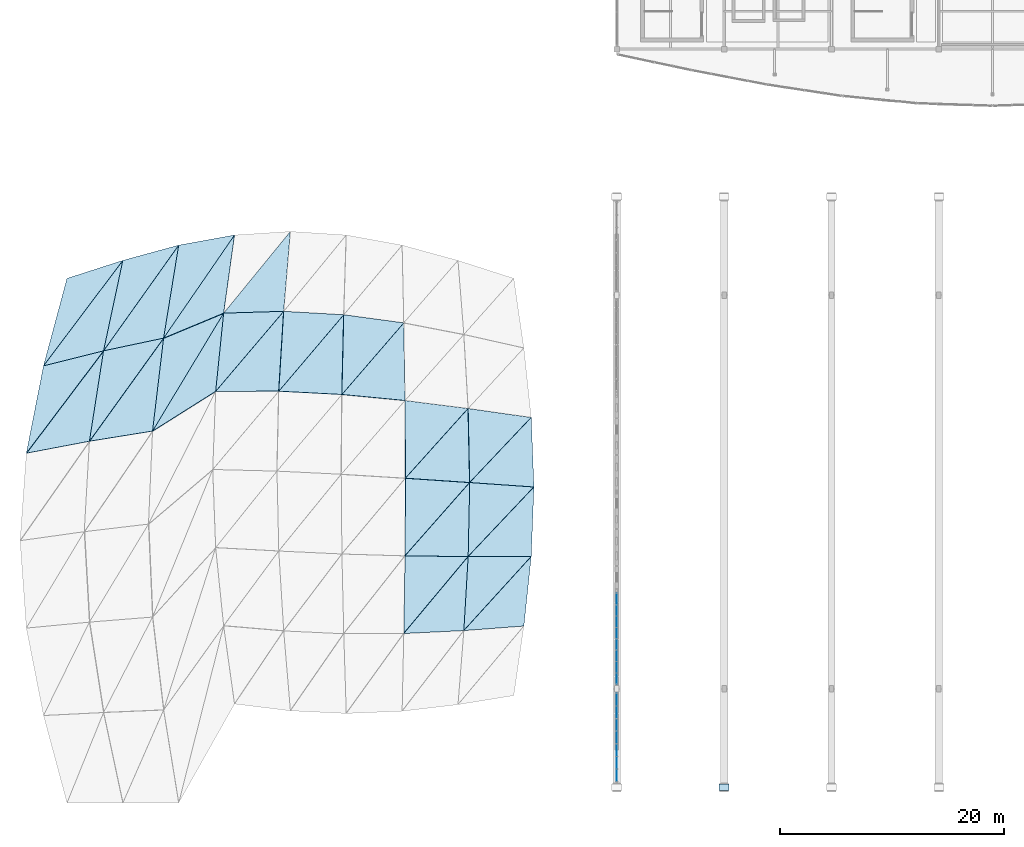
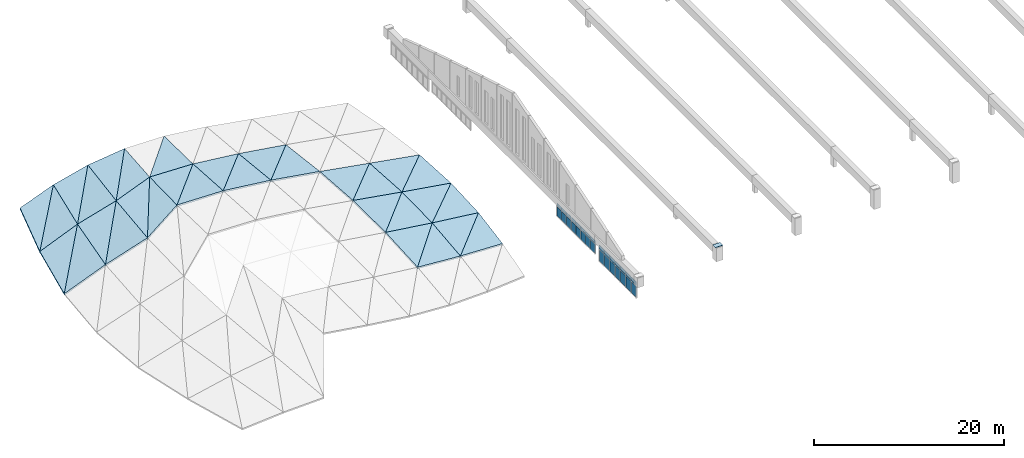
# One storey, part 51 of 65: 31 plates, 31 slabs, 2 elements without a shape of their own.
"""IFC4 building model written with IfcOpenShell, lengths in metres."""

from ifc_helpers import new_model, si_unit, direction, frame, origin, origin_2d, place, context, subcontext, project, spatial, polyline, rectangle, outline, extrude, material, layer, layer_set, type_object, element, aggregate, save


model = new_model("IFC4")

# Units and contexts
model_context = context("Model", 3, precision=1e-05, world=origin(), true_north=direction((0.0, 1.0)))
body_context = subcontext(model_context, "Body", "Model", "MODEL_VIEW")
ifc_project = project(units=[si_unit("LENGTHUNIT", "METRE"), si_unit("AREAUNIT", "SQUARE_METRE"), si_unit("VOLUMEUNIT", "CUBIC_METRE"), si_unit("PLANEANGLEUNIT", "RADIAN"), si_unit("MASSUNIT", "GRAM", prefix="KILO")], contexts=[model_context])

# Site, building, storey
site_placement = place(None, origin())
site = spatial("IfcSite", under=ifc_project, at=site_placement, CompositionType="ELEMENT")
building_placement = place(site_placement, origin())
building = spatial("IfcBuilding", under=site, at=building_placement, Name="Chalmorin Arch Market", CompositionType="ELEMENT")
storey_placement = place(building_placement, frame((0.0, 0.0, 14.10009765625)))
storey = spatial("IfcBuildingStorey", under=building, at=storey_placement, Name="L03", CompositionType="ELEMENT", Elevation=14.10009765625)

# Plate
ifc_material_1 = material(Name="Steel A572 Grade 50", Category="steel")
ifc_layer_1 = layer(ifc_material_1, 0.035888671875)
ifc_layer_set_1 = layer_set([ifc_layer_1], Name="Steel A572 Grade 50")
plate_type_1 = type_object("IfcPlateType", Name="ArchSpringBasePlate-900x600x36", PredefinedType="SHEET", material=ifc_layer_set_1)
plate_1_placement = place(storey_placement, frame((57.60009765625, 6.0, 1.7666015625), z_axis=(0.0, 0.0, 1.0), x_axis=(1.0, 0.0, 0.0)))
element("IfcPlate", 1, at=plate_1_placement, inside=storey, type_object=plate_type_1, Name="GP-02-031", PredefinedType="SHEET", context=body_context, shape_type="SweptSolid", body=[
    extrude(rectangle(XDim=0.89990234375, YDim=0.60009765625, at=origin_2d()), origin(), (0.0, 0.0, 1.0), 0.035888671875),
])

# Slabs
ifc_material_2 = material(Name="Concrete C40/50", Category="concrete")
ifc_layer_2 = layer(ifc_material_2, 0.2099609375)
ifc_layer_set_2 = layer_set([ifc_layer_2], Name="Concrete C40/50")
slab_type = type_object("IfcSlabType", Name="PavilionSlopedRoofSlab-210", PredefinedType="ROOF", material=ifc_layer_set_2)
slab_1_placement = place(storey_placement, frame((-4.787109375, 35.866943359375, -0.75), z_axis=(-0.205426054986, 0.047556698435, 0.977516494166), x_axis=(0.963862183424, 0.18293949116, 0.193656484374)))
element("IfcSlab", 2, at=slab_1_placement, inside=storey, type_object=slab_type, Name="RS-210-150", PredefinedType="ROOF", context=body_context, shape_type="SweptSolid", body=[
    extrude(outline(polyline([(0.0, 0.0), (5.854640324414997, -1.3877787807814457e-17), (8.526224129664534, 7.735671619170039), (0.0, 0.0)])), origin(), (0.0, 0.0, -1.0), 0.2099609375),
])
slab_2_placement = place(storey_placement, frame((-4.787109375, 35.866943359375, -0.75), z_axis=(-0.155223776221, 0.008556776357, 0.987842275302), x_axis=(0.599871444487, 0.795311584212, 0.087371243019)))
element("IfcSlab", 3, at=slab_2_placement, inside=storey, type_object=slab_type, Name="RS-210-151", PredefinedType="ROOF", context=body_context, shape_type="SweptSolid", body=[
    extrude(outline(polyline([(0.0, 0.0), (11.512476419472335, -5.551115123125783e-17), (7.153539870134838, 3.508871455920633), (0.0, 0.0)])), origin(), (0.0, 0.0, -1.0), 0.2099609375),
])
slab_3_placement = place(storey_placement, frame((-3.25, 43.68310546875, -0.576171875), z_axis=(-0.174210856081, 0.089094215358, 0.980669566374), x_axis=(0.959458317897, 0.23943919097, 0.148689643372)))
element("IfcSlab", 4, at=slab_3_placement, inside=storey, type_object=slab_type, Name="RS-210-152", PredefinedType="ROOF", context=body_context, shape_type="SweptSolid", body=[
    extrude(outline(polyline([(0.0, 0.0), (5.5957579232240615, 1.3877787807814457e-17), (9.122903924401545, 7.487935095542539), (0.0, 0.0)])), origin(), (0.0, 0.0, -1.0), 0.2099609375),
])
slab_4_placement = place(storey_placement, frame((-3.25, 43.68310546875, -0.576171875), z_axis=(-0.052814905492, -0.00305802305, 0.998599636618), x_axis=(0.601063904776, 0.798467382191, 0.034234806154)))
element("IfcSlab", 5, at=slab_4_placement, inside=storey, type_object=slab_type, Name="RS-210-153", PredefinedType="ROOF", context=body_context, shape_type="SweptSolid", body=[
    extrude(outline(polyline([(0.0, 0.0), (11.802395858846575, 7.4593109467002705e-16), (7.508450244064156, 3.02583093508212), (0.0, 0.0)])), origin(), (0.0, 0.0, -1.0), 0.2099609375),
])
slab_5_placement = place(storey_placement, frame((0.85595703125, 36.93798828125, 0.3837890625), z_axis=(-0.17423863099, 0.091277834476, 0.98046379658), x_axis=(0.97477731935, 0.157008564504, 0.158611123046)))
element("IfcSlab", 6, at=slab_5_placement, inside=storey, type_object=slab_type, Name="RS-210-162", PredefinedType="ROOF", context=body_context, shape_type="SweptSolid", body=[
    extrude(outline(polyline([(0.0, 0.0), (5.789082587615257, 4.163336342344337e-17), (7.962230076087635, 8.104611623732257), (0.0, 0.0)])), origin(), (0.0, 0.0, -1.0), 0.2099609375),
])
slab_6_placement = place(storey_placement, frame((0.85595703125, 36.93798828125, 0.3837890625), z_axis=(-0.089365934021, 0.02971255875, 0.995555570367), x_axis=(0.583651005833, 0.811515784959, 0.028171513149)))
element("IfcSlab", 7, at=slab_6_placement, inside=storey, type_object=slab_type, Name="RS-210-163", PredefinedType="ROOF", context=body_context, shape_type="SweptSolid", body=[
    extrude(outline(polyline([(0.0, 0.0), (11.36141880911405, -5.551115123125783e-16), (7.29458533080587, 3.7103908526860367), (0.0, 0.0)])), origin(), (0.0, 0.0, -1.0), 0.2099609375),
])
slab_7_placement = place(storey_placement, frame((2.118896484375, 45.02294921875, 0.255859375), z_axis=(-0.10892504042, 0.125977541069, 0.986034986558), x_axis=(0.975125480416, 0.206174202222, 0.081378718236)))
element("IfcSlab", 8, at=slab_7_placement, inside=storey, type_object=slab_type, Name="RS-210-164", PredefinedType="ROOF", context=body_context, shape_type="SweptSolid", body=[
    extrude(outline(polyline([(0.0, 0.0), (5.505100800165645, -9.71445146547012e-17), (8.460813847671085, 7.937800945678253), (0.0, 0.0)])), origin(), (0.0, 0.0, -1.0), 0.2099609375),
])
slab_8_placement = place(storey_placement, frame((2.118896484375, 45.02294921875, 0.255859375), z_axis=(-0.007495166527, 0.054460917826, 0.998487772037), x_axis=(0.579066175189, 0.814295368279, -0.040067667172)))
element("IfcSlab", 9, at=slab_8_placement, inside=storey, type_object=slab_type, Name="RS-210-165", PredefinedType="ROOF", context=body_context, shape_type="SweptSolid", body=[
    extrude(outline(polyline([(0.0, 0.0), (11.601467787230778, -6.453171330633722e-16), (7.598844836150858, 3.2813850832816636), (0.0, 0.0)])), origin(), (0.0, 0.0, -1.0), 0.2099609375),
])
slab_9_placement = place(storey_placement, frame((6.4990234375, 37.846923828125, 1.302001953125), z_axis=(-0.1016483456, 0.134191225845, 0.985728324004), x_axis=(0.845973022111, 0.533023749462, 0.014674071367)))
element("IfcSlab", 10, at=slab_9_placement, inside=storey, type_object=slab_type, Name="RS-210-174", PredefinedType="ROOF", context=body_context, shape_type="SweptSolid", body=[
    extrude(outline(polyline([(0.0, 0.0), (6.671658340438265, -8.430756093247282e-16), (10.987172046438271, 5.61263103529784), (0.0, 0.0)])), origin(), (0.0, 0.0, -1.0), 0.2099609375),
])
slab_10_placement = place(storey_placement, frame((6.4990234375, 37.846923828125, 1.302001953125), z_axis=(0.004122959169, 0.071296009378, 0.997446680407), x_axis=(0.515243379028, 0.854708782179, -0.063223081496)))
element("IfcSlab", 11, at=slab_10_placement, inside=storey, type_object=slab_type, Name="RS-210-175", PredefinedType="ROOF", context=body_context, shape_type="SweptSolid", body=[
    extrude(outline(polyline([(0.0, 0.0), (12.337729803996483, -3.226585665316861e-16), (7.65041085632914, 3.4465219145612735), (0.0, 0.0)])), origin(), (0.0, 0.0, -1.0), 0.2099609375),
])
slab_11_placement = place(storey_placement, frame((7.487060546875, 46.157958984375, 0.703857421875), z_axis=(-0.021320666114, 0.131917943933, 0.991031324058), x_axis=(0.922803174318, 0.384001266344, -0.031262260237)))
element("IfcSlab", 12, at=slab_11_placement, inside=storey, type_object=slab_type, Name="RS-210-176", PredefinedType="ROOF", context=body_context, shape_type="SweptSolid", body=[
    extrude(outline(polyline([(0.0, 0.0), (5.818029926419455, 2.0816681711721685e-17), (9.429597499822139, 6.12888679779983), (0.0, 0.0)])), origin(), (0.0, 0.0, -1.0), 0.2099609375),
])
slab_12_placement = place(storey_placement, frame((7.487060546875, 46.157958984375, 0.703857421875), z_axis=(0.016061129938, 0.106574003094, 0.99417504594), x_axis=(0.564093219153, 0.819992040295, -0.097014916159)))
element("IfcSlab", 13, at=slab_12_placement, inside=storey, type_object=slab_type, Name="RS-210-177", PredefinedType="ROOF", context=body_context, shape_type="SweptSolid", body=[
    extrude(outline(polyline([(0.0, 0.0), (11.246357738792456, 4.649058915617843e-16), (7.665785933622255, 3.602866843540526), (0.0, 0.0)])), origin(), (0.0, 0.0, -1.0), 0.2099609375),
])
slab_13_placement = place(storey_placement, frame((12.14306640625, 41.403076171875, 1.39990234375), z_axis=(0.024504038093, 0.140247951522, 0.989813146109), x_axis=(0.999685885399, 0.001773336274, -0.024999716253)))
element("IfcSlab", 14, at=slab_13_placement, inside=storey, type_object=slab_type, Name="RS-210-186", PredefinedType="ROOF", context=body_context, shape_type="SweptSolid", body=[
    extrude(outline(polyline([(0.0, 0.0), (5.64459531543106, -3.469446951953614e-18), (6.121906403883806, 7.213280368822861), (0.0, 0.0)])), origin(), (0.0, 0.0, -1.0), 0.2099609375),
])
slab_14_placement = place(storey_placement, frame((12.14306640625, 41.403076171875, 1.39990234375), z_axis=(0.049197545809, 0.119543442964, 0.991609281285), x_axis=(0.642857813233, 0.756039186421, -0.123038939206)))
element("IfcSlab", 15, at=slab_14_placement, inside=storey, type_object=slab_type, Name="RS-210-187", PredefinedType="ROOF", context=body_context, shape_type="SweptSolid", body=[
    extrude(outline(polyline([(0.0, 0.0), (9.460927634072613, -7.771561172376096e-16), (5.850275056077485, 3.9874261690092774), (0.0, 0.0)])), origin(), (0.0, 0.0, -1.0), 0.2099609375),
])
slab_15_placement = place(storey_placement, frame((12.85595703125, 48.39208984375, 0.52197265625), z_axis=(0.048857222797, 0.12871945633, 0.990476790916), x_axis=(0.998119828144, 0.030453728842, -0.053191907902)))
element("IfcSlab", 16, at=slab_15_placement, inside=storey, type_object=slab_type, Name="RS-210-188", PredefinedType="ROOF", context=body_context, shape_type="SweptSolid", body=[
    extrude(outline(polyline([(0.0, 0.0), (5.379254548009683, 2.0816681711721685e-17), (6.246501246671691, 7.1807267258979355), (0.0, 0.0)])), origin(), (0.0, 0.0, -1.0), 0.2099609375),
])
slab_16_placement = place(storey_placement, frame((17.785888671875, 41.4130859375, 1.2587890625), z_axis=(0.082914967895, 0.130824391976, 0.987932227718), x_axis=(0.995711507064, -0.051693943432, -0.07672242771)))
element("IfcSlab", 17, at=slab_16_placement, inside=storey, type_object=slab_type, Name="RS-210-198", PredefinedType="ROOF", context=body_context, shape_type="SweptSolid", body=[
    extrude(outline(polyline([(0.0, 0.0), (5.667370886263775, 4.85722573273506e-17), (5.536631106267009, 7.19466141599945), (0.0, 0.0)])), origin(), (0.0, 0.0, -1.0), 0.2099609375),
])
slab_17_placement = place(storey_placement, frame((17.785888671875, 41.4130859375, 1.2587890625), z_axis=(0.075837854027, 0.136787841819, 0.987693123509), x_axis=(0.639771577108, 0.753096395348, -0.153421473199)))
element("IfcSlab", 18, at=slab_17_placement, inside=storey, type_object=slab_type, Name="RS-210-199", PredefinedType="ROOF", context=body_context, shape_type="SweptSolid", body=[
    extrude(outline(polyline([(0.0, 0.0), (9.078404975421327, 5.551115123125783e-17), (5.8171695016161165, 4.291826947102192), (0.0, 0.0)])), origin(), (0.0, 0.0, -1.0), 0.2099609375),
])
slab_18_placement = place(storey_placement, frame((23.428955078125, 41.1201171875, 0.823974609375), z_axis=(0.101798242096, 0.105588692371, 0.989185597322), x_axis=(0.991255418205, -0.094691181249, -0.09190362383)))
element("IfcSlab", 19, at=slab_18_placement, inside=storey, type_object=slab_type, Name="RS-210-210", PredefinedType="ROOF", context=body_context, shape_type="SweptSolid", body=[
    extrude(outline(polyline([(0.0, 0.0), (5.692847981067793, -2.7755575615628914e-17), (4.993177644110897, 6.948815724857555), (0.0, 0.0)])), origin(), (0.0, 0.0, -1.0), 0.2099609375),
])
slab_19_placement = place(storey_placement, frame((23.428955078125, 41.1201171875, 0.823974609375), z_axis=(0.072064005772, 0.131183481915, 0.988735390863), x_axis=(0.646619692046, 0.748621430521, -0.146454524082)))
element("IfcSlab", 20, at=slab_19_placement, inside=storey, type_object=slab_type, Name="RS-210-211", PredefinedType="ROOF", context=body_context, shape_type="SweptSolid", body=[
    extrude(outline(polyline([(0.0, 0.0), (8.556743712632537, 9.783840404509192e-16), (5.584605156554454, 4.537888388483154), (0.0, 0.0)])), origin(), (0.0, 0.0, -1.0), 0.2099609375),
])
slab_20_placement = place(storey_placement, frame((28.9619140625, 19.748046875, 0.62890625), z_axis=(0.110542419276, -0.023838239076, 0.993585482935), x_axis=(0.992828233748, 0.048440555421, -0.10929597826)))
element("IfcSlab", 21, at=slab_20_placement, inside=storey, type_object=slab_type, Name="RS-210-216", PredefinedType="ROOF", context=body_context, shape_type="SweptSolid", body=[
    extrude(outline(polyline([(0.0, 0.0), (5.407924999002663, 4.5102810375396984e-17), (6.098121882048604, 6.59508148176423), (0.0, 0.0)])), origin(), (0.0, 0.0, -1.0), 0.2099609375),
])
slab_21_placement = place(storey_placement, frame((28.9619140625, 19.748046875, 0.62890625), z_axis=(0.126586554932, -0.037416502737, 0.991249640319), x_axis=(0.640608016086, 0.76604422442, -0.052892494349)))
element("IfcSlab", 22, at=slab_21_placement, inside=storey, type_object=slab_type, Name="RS-210-217", PredefinedType="ROOF", context=body_context, shape_type="SweptSolid", body=[
    extrude(outline(polyline([(0.0, 0.0), (8.98232654936512, -2.636779683484747e-16), (5.376710271475632, 4.402460428711004), (0.0, 0.0)])), origin(), (0.0, 0.0, -1.0), 0.2099609375),
])
slab_22_placement = place(storey_placement, frame((29.072021484375, 26.69189453125, 0.876953125), z_axis=(0.1271784279, 0.008834508103, 0.99184051084), x_axis=(0.991830886433, -0.01106896655, -0.127078600468)))
element("IfcSlab", 23, at=slab_22_placement, inside=storey, type_object=slab_type, Name="RS-210-218", PredefinedType="ROOF", context=body_context, shape_type="SweptSolid", body=[
    extrude(outline(polyline([(0.0, 0.0), (5.690529550907185, -4.336808689942018e-18), (5.765774365386538, 6.621614153544374), (0.0, 0.0)])), origin(), (0.0, 0.0, -1.0), 0.2099609375),
])
slab_23_placement = place(storey_placement, frame((29.072021484375, 26.69189453125, 0.876953125), z_axis=(0.119147244738, 0.016029309199, 0.992747196077), x_axis=(0.658756061927, 0.746818214141, -0.091120831326)))
element("IfcSlab", 24, at=slab_23_placement, inside=storey, type_object=slab_type, Name="RS-210-219", PredefinedType="ROOF", context=body_context, shape_type="SweptSolid", body=[
    extrude(outline(polyline([(0.0, 0.0), (8.78008701727766, -9.020562075079397e-16), (5.223735500498847, 4.578410293218335), (0.0, 0.0)])), origin(), (0.0, 0.0, -1.0), 0.2099609375),
])
slab_24_placement = place(storey_placement, frame((29.112060546875, 33.636962890625, 0.760009765625), z_axis=(0.120682917611, 0.040307022638, 0.99187246021), x_axis=(0.990776570011, -0.066916477653, -0.117830273426)))
element("IfcSlab", 25, at=slab_24_placement, inside=storey, type_object=slab_type, Name="RS-210-220", PredefinedType="ROOF", context=body_context, shape_type="SweptSolid", body=[
    extrude(outline(polyline([(0.0, 0.0), (5.79736810319498, 9.71445146547012e-17), (5.24554028139382, 6.602145638848756), (0.0, 0.0)])), origin(), (0.0, 0.0, -1.0), 0.2099609375),
])
slab_25_placement = place(storey_placement, frame((29.112060546875, 33.636962890625, 0.760009765625), z_axis=(0.092131182963, 0.066236366024, 0.993541437959), x_axis=(0.664586250749, 0.738937452802, -0.110889837953)))
element("IfcSlab", 26, at=slab_25_placement, inside=storey, type_object=slab_type, Name="RS-210-221", PredefinedType="ROOF", context=body_context, shape_type="SweptSolid", body=[
    extrude(outline(polyline([(0.0, 0.0), (8.432319958368206, 5.620504062164855e-16), (5.155563869658258, 4.67472630486428), (0.0, 0.0)])), origin(), (0.0, 0.0, -1.0), 0.2099609375),
])
slab_26_placement = place(storey_placement, frame((34.3310546875, 20.010009765625, 0.037841796875), z_axis=(0.097127684495, -0.007247102158, 0.995245543781), x_axis=(0.992503687681, 0.075235489399, -0.096312258174)))
element("IfcSlab", 27, at=slab_26_placement, inside=storey, type_object=slab_type, Name="RS-210-228", PredefinedType="ROOF", context=body_context, shape_type="SweptSolid", body=[
    extrude(outline(polyline([(0.0, 0.0), (5.409447391495016, 2.2551405187698492e-17), (6.5329460742991605, 6.149127310825157), (0.0, 0.0)])), origin(), (0.0, 0.0, -1.0), 0.2099609375),
])
slab_27_placement = place(storey_placement, frame((34.3310546875, 20.010009765625, 0.037841796875), z_axis=(0.115461111217, -0.02411443012, 0.993019247576), x_axis=(0.671872820603, 0.73821651994, -0.060193709161)))
element("IfcSlab", 28, at=slab_27_placement, inside=storey, type_object=slab_type, Name="RS-210-229", PredefinedType="ROOF", context=body_context, shape_type="SweptSolid", body=[
    extrude(outline(polyline([(0.0, 0.0), (8.971686078683128, -1.3877787807814457e-16), (5.137875854085522, 4.192100093805105), (0.0, 0.0)])), origin(), (0.0, 0.0, -1.0), 0.2099609375),
])
slab_28_placement = place(storey_placement, frame((34.716064453125, 26.62890625, 0.15380859375), z_axis=(0.115475438984, 0.002072885895, 0.993308172792), x_axis=(0.993309866867, 0.000730596103, -0.115477160571)))
element("IfcSlab", 29, at=slab_28_placement, inside=storey, type_object=slab_type, Name="RS-210-230", PredefinedType="ROOF", context=body_context, shape_type="SweptSolid", body=[
    extrude(outline(polyline([(0.0, 0.0), (5.680827759641189, 2.168404344971009e-19), (5.929703477710662, 6.2168742037122415), (0.0, 0.0)])), origin(), (0.0, 0.0, -1.0), 0.2099609375),
])
slab_29_placement = place(storey_placement, frame((34.716064453125, 26.62890625, 0.15380859375), z_axis=(0.107964362881, 0.009266911261, 0.994111573569), x_axis=(0.684880561669, 0.724124578749, -0.081130824595)))
element("IfcSlab", 30, at=slab_29_placement, inside=storey, type_object=slab_type, Name="RS-210-231", PredefinedType="ROOF", context=body_context, shape_type="SweptSolid", body=[
    extrude(outline(polyline([(0.0, 0.0), (8.591327499191069, 3.469446951953614e-16), (4.89583858617009, 4.4589460995501256), (0.0, 0.0)])), origin(), (0.0, 0.0, -1.0), 0.2099609375),
])
slab_30_placement = place(storey_placement, frame((34.85595703125, 33.2490234375, 0.076904296875), z_axis=(0.108096354444, 0.011221060118, 0.994077092567), x_axis=(0.991861546895, -0.068883958162, -0.10707787866)))
element("IfcSlab", 31, at=slab_30_placement, inside=storey, type_object=slab_type, Name="RS-210-232", PredefinedType="ROOF", context=body_context, shape_type="SweptSolid", body=[
    extrude(outline(polyline([(0.0, 0.0), (5.79127262568032, 3.469446951953614e-17), (5.128492767086146, 6.186226648847585), (0.0, 0.0)])), origin(), (0.0, 0.0, -1.0), 0.2099609375),
])
slab_31_placement = place(storey_placement, frame((34.85595703125, 33.2490234375, 0.076904296875), z_axis=(0.078368359836, 0.039575086068, 0.996138651363), x_axis=(0.684818921985, 0.724012196579, -0.082640082866)))
element("IfcSlab", 32, at=slab_31_placement, inside=storey, type_object=slab_type, Name="RS-210-233", PredefinedType="ROOF", context=body_context, shape_type="SweptSolid", body=[
    extrude(outline(polyline([(0.0, 0.0), (8.035598186380833, 1.7694179454963432e-16), (4.717182125166269, 4.6519924526481455), (0.0, 0.0)])), origin(), (0.0, 0.0, -1.0), 0.2099609375),
])

# Curtain wall, plates
ifc_material_3 = material(Name="Aluminium 6063-T6", Category="aluminium")
ifc_layer_3 = layer(ifc_material_3, 0.159912109375)
ifc_layer_set_3 = layer_set([ifc_layer_3], Name="Aluminium 6063-T6")
curtain_wall_type_1 = type_object("IfcCurtainWallType", Name="GableTympanumCurtainWall-CW4-7880x2180", PredefinedType="NOTDEFINED", material=ifc_layer_set_3)
curtain_wall_1_placement = place(storey_placement, origin())
curtain_wall_1 = element("IfcCurtainWall", 33, at=curtain_wall_1_placement, inside=storey, type_object=curtain_wall_type_1, Name="CW-04-027", PredefinedType="NOTDEFINED")
ifc_material_4 = material(Name="Powder-coated Aluminium Panel", Category="aluminium")
ifc_layer_4 = layer(ifc_material_4, 0.0400390625)
ifc_layer_set_4 = layer_set([ifc_layer_4], Name="Powder-coated Aluminium Panel")
plate_type_2 = type_object("IfcPlateType", Name="ShadowboxSpandrelPanel-40", PredefinedType="CURTAIN_PANEL", material=ifc_layer_set_4)
plate_2_placement = place(storey_placement, frame((48.0, 7.072998046875, -0.3818359375), z_axis=(0.0, 0.0, 1.0), x_axis=(0.0, 1.0, 0.0)))
plate_2 = element("IfcPlate", 34, at=plate_2_placement, type_object=plate_type_2, Name="SP-40-027-01B", PredefinedType="CURTAIN_PANEL", context=body_context, shape_type="SweptSolid", body=[
    extrude(rectangle(XDim=1.045654296875, YDim=0.0400390625, at=origin_2d()), origin(), (0.0, 0.0, 1.0), 0.496826171875),
])
plate_3_placement = place(storey_placement, frame((48.0, 8.198486328125, -0.3818359375), z_axis=(0.0, 0.0, 1.0), x_axis=(0.0, 1.0, 0.0)))
plate_3 = element("IfcPlate", 35, at=plate_3_placement, type_object=plate_type_2, Name="SP-40-027-02B", PredefinedType="CURTAIN_PANEL", context=body_context, shape_type="SweptSolid", body=[
    extrude(rectangle(XDim=1.045654296875, YDim=0.0400390625, at=origin_2d()), origin(), (0.0, 0.0, 1.0), 0.496826171875),
])
plate_4_placement = place(storey_placement, frame((48.0, 9.32421875, -0.3818359375), z_axis=(0.0, 0.0, 1.0), x_axis=(0.0, 1.0, 0.0)))
plate_4 = element("IfcPlate", 36, at=plate_4_placement, type_object=plate_type_2, Name="SP-40-027-03B", PredefinedType="CURTAIN_PANEL", context=body_context, shape_type="SweptSolid", body=[
    extrude(rectangle(XDim=1.045654296875, YDim=0.0400390625, at=origin_2d()), origin(), (0.0, 0.0, 1.0), 0.496826171875),
])
plate_5_placement = place(storey_placement, frame((48.0, 10.449951171875, -0.3818359375), z_axis=(0.0, 0.0, 1.0), x_axis=(0.0, 1.0, 0.0)))
plate_5 = element("IfcPlate", 37, at=plate_5_placement, type_object=plate_type_2, Name="SP-40-027-04B", PredefinedType="CURTAIN_PANEL", context=body_context, shape_type="SweptSolid", body=[
    extrude(rectangle(XDim=1.045654296875, YDim=0.0400390625, at=origin_2d()), origin(), (0.0, 0.0, 1.0), 0.496826171875),
])
plate_6_placement = place(storey_placement, frame((48.0, 11.57568359375, -0.3818359375), z_axis=(0.0, 0.0, 1.0), x_axis=(0.0, 1.0, 0.0)))
plate_6 = element("IfcPlate", 38, at=plate_6_placement, type_object=plate_type_2, Name="SP-40-027-05B", PredefinedType="CURTAIN_PANEL", context=body_context, shape_type="SweptSolid", body=[
    extrude(rectangle(XDim=1.045654296875, YDim=0.0400390625, at=origin_2d()), origin(), (0.0, 0.0, 1.0), 0.496826171875),
])
plate_7_placement = place(storey_placement, frame((48.0, 12.701416015625, -0.3818359375), z_axis=(0.0, 0.0, 1.0), x_axis=(0.0, 1.0, 0.0)))
plate_7 = element("IfcPlate", 39, at=plate_7_placement, type_object=plate_type_2, Name="SP-40-027-06B", PredefinedType="CURTAIN_PANEL", context=body_context, shape_type="SweptSolid", body=[
    extrude(rectangle(XDim=1.045654296875, YDim=0.0400390625, at=origin_2d()), origin(), (0.0, 0.0, 1.0), 0.496826171875),
])
plate_8_placement = place(storey_placement, frame((48.0, 13.8271484375, -0.3818359375), z_axis=(0.0, 0.0, 1.0), x_axis=(0.0, 1.0, 0.0)))
plate_8 = element("IfcPlate", 40, at=plate_8_placement, type_object=plate_type_2, Name="SP-40-027-07B", PredefinedType="CURTAIN_PANEL", context=body_context, shape_type="SweptSolid", body=[
    extrude(rectangle(XDim=1.045654296875, YDim=0.0400390625, at=origin_2d()), origin(), (0.0, 0.0, 1.0), 0.496826171875),
])

ifc_layer_5 = layer(ifc_material_3, 0.159912109375)
ifc_layer_set_5 = layer_set([ifc_layer_5], Name="Aluminium 6063-T6")
curtain_wall_type_2 = type_object("IfcCurtainWallType", Name="GableTympanumCurtainWall-CW4-8130x1780", PredefinedType="NOTDEFINED", material=ifc_layer_set_5)
curtain_wall_2_placement = place(storey_placement, origin())
curtain_wall_2 = element("IfcCurtainWall", 41, at=curtain_wall_2_placement, inside=storey, type_object=curtain_wall_type_2, Name="CW-04-029", PredefinedType="NOTDEFINED")
plate_9_placement = place(storey_placement, frame((48.0, 15.718017578125, -0.269775390625), z_axis=(0.0, 0.0, 1.0), x_axis=(0.0, 1.0, 0.0)))
plate_9 = element("IfcPlate", 42, at=plate_9_placement, type_object=plate_type_2, Name="SP-40-029-01B", PredefinedType="CURTAIN_PANEL", context=body_context, shape_type="SweptSolid", body=[
    extrude(rectangle(XDim=0.935791015625, YDim=0.0400390625, at=origin_2d()), origin(), (0.0, 0.0, 1.0), 0.384765625),
])
plate_10_placement = place(storey_placement, frame((48.0, 16.73388671875, -0.269775390625), z_axis=(0.0, 0.0, 1.0), x_axis=(0.0, 1.0, 0.0)))
plate_10 = element("IfcPlate", 43, at=plate_10_placement, type_object=plate_type_2, Name="SP-40-029-02B", PredefinedType="CURTAIN_PANEL", context=body_context, shape_type="SweptSolid", body=[
    extrude(rectangle(XDim=0.935791015625, YDim=0.0400390625, at=origin_2d()), origin(), (0.0, 0.0, 1.0), 0.384765625),
])
plate_11_placement = place(storey_placement, frame((48.0, 17.75, -0.269775390625), z_axis=(0.0, 0.0, 1.0), x_axis=(0.0, 1.0, 0.0)))
plate_11 = element("IfcPlate", 44, at=plate_11_placement, type_object=plate_type_2, Name="SP-40-029-03B", PredefinedType="CURTAIN_PANEL", context=body_context, shape_type="SweptSolid", body=[
    extrude(rectangle(XDim=0.935791015625, YDim=0.0400390625, at=origin_2d()), origin(), (0.0, 0.0, 1.0), 0.384765625),
])
plate_12_placement = place(storey_placement, frame((48.0, 18.765869140625, -0.269775390625), z_axis=(0.0, 0.0, 1.0), x_axis=(0.0, 1.0, 0.0)))
plate_12 = element("IfcPlate", 45, at=plate_12_placement, type_object=plate_type_2, Name="SP-40-029-04B", PredefinedType="CURTAIN_PANEL", context=body_context, shape_type="SweptSolid", body=[
    extrude(rectangle(XDim=0.935791015625, YDim=0.0400390625, at=origin_2d()), origin(), (0.0, 0.0, 1.0), 0.384765625),
])
plate_13_placement = place(storey_placement, frame((48.0, 19.78173828125, -0.269775390625), z_axis=(0.0, 0.0, 1.0), x_axis=(0.0, 1.0, 0.0)))
plate_13 = element("IfcPlate", 46, at=plate_13_placement, type_object=plate_type_2, Name="SP-40-029-05B", PredefinedType="CURTAIN_PANEL", context=body_context, shape_type="SweptSolid", body=[
    extrude(rectangle(XDim=0.935791015625, YDim=0.0400390625, at=origin_2d()), origin(), (0.0, 0.0, 1.0), 0.384765625),
])
plate_14_placement = place(storey_placement, frame((48.0, 20.797607421875, -0.269775390625), z_axis=(0.0, 0.0, 1.0), x_axis=(0.0, 1.0, 0.0)))
plate_14 = element("IfcPlate", 47, at=plate_14_placement, type_object=plate_type_2, Name="SP-40-029-06B", PredefinedType="CURTAIN_PANEL", context=body_context, shape_type="SweptSolid", body=[
    extrude(rectangle(XDim=0.935791015625, YDim=0.0400390625, at=origin_2d()), origin(), (0.0, 0.0, 1.0), 0.384765625),
])
plate_15_placement = place(storey_placement, frame((48.0, 21.813720703125, -0.269775390625), z_axis=(0.0, 0.0, 1.0), x_axis=(0.0, 1.0, 0.0)))
plate_15 = element("IfcPlate", 48, at=plate_15_placement, type_object=plate_type_2, Name="SP-40-029-07B", PredefinedType="CURTAIN_PANEL", context=body_context, shape_type="SweptSolid", body=[
    extrude(rectangle(XDim=0.935791015625, YDim=0.0400390625, at=origin_2d()), origin(), (0.0, 0.0, 1.0), 0.384765625),
])
plate_16_placement = place(storey_placement, frame((48.0, 22.82958984375, -0.269775390625), z_axis=(0.0, 0.0, 1.0), x_axis=(0.0, 1.0, 0.0)))
plate_16 = element("IfcPlate", 49, at=plate_16_placement, type_object=plate_type_2, Name="SP-40-029-08B", PredefinedType="CURTAIN_PANEL", context=body_context, shape_type="SweptSolid", body=[
    extrude(rectangle(XDim=0.935791015625, YDim=0.0400390625, at=origin_2d()), origin(), (0.0, 0.0, 1.0), 0.384765625),
])

# Plate
ifc_material_5 = material(Name="Laminated Acoustic Glass", Category="glass")
ifc_layer_6 = layer(ifc_material_5, 0.031982421875)
ifc_layer_set_6 = layer_set([ifc_layer_6], Name="Laminated Acoustic Glass")
plate_type_3 = type_object("IfcPlateType", Name="TintedClerestoryGlass-32", PredefinedType="CURTAIN_PANEL", material=ifc_layer_set_6)
plate_17_placement = place(storey_placement, frame((48.0, 7.072998046875, -1.93017578125), z_axis=(0.0, 0.0, 1.0), x_axis=(0.0, 1.0, 0.0)))
plate_17 = element("IfcPlate", 50, at=plate_17_placement, type_object=plate_type_3, Name="GL-32-027-01A", PredefinedType="CURTAIN_PANEL", context=body_context, shape_type="SweptSolid", body=[
    extrude(rectangle(XDim=1.045654296875, YDim=0.031982421875, at=origin_2d()), origin(), (0.0, 0.0, 1.0), 1.458251953125),
])

plate_18_placement = place(storey_placement, frame((48.0, 8.198486328125, -1.93017578125), z_axis=(0.0, 0.0, 1.0), x_axis=(0.0, 1.0, 0.0)))
plate_18 = element("IfcPlate", 51, at=plate_18_placement, type_object=plate_type_3, Name="GL-32-027-02A", PredefinedType="CURTAIN_PANEL", context=body_context, shape_type="SweptSolid", body=[
    extrude(rectangle(XDim=1.045654296875, YDim=0.031982421875, at=origin_2d()), origin(), (0.0, 0.0, 1.0), 1.458251953125),
])

plate_19_placement = place(storey_placement, frame((48.0, 9.32421875, -1.93017578125), z_axis=(0.0, 0.0, 1.0), x_axis=(0.0, 1.0, 0.0)))
plate_19 = element("IfcPlate", 52, at=plate_19_placement, type_object=plate_type_3, Name="GL-32-027-03A", PredefinedType="CURTAIN_PANEL", context=body_context, shape_type="SweptSolid", body=[
    extrude(rectangle(XDim=1.045654296875, YDim=0.031982421875, at=origin_2d()), origin(), (0.0, 0.0, 1.0), 1.458251953125),
])

plate_20_placement = place(storey_placement, frame((48.0, 10.449951171875, -1.93017578125), z_axis=(0.0, 0.0, 1.0), x_axis=(0.0, 1.0, 0.0)))
plate_20 = element("IfcPlate", 53, at=plate_20_placement, type_object=plate_type_3, Name="GL-32-027-04A", PredefinedType="CURTAIN_PANEL", context=body_context, shape_type="SweptSolid", body=[
    extrude(rectangle(XDim=1.045654296875, YDim=0.031982421875, at=origin_2d()), origin(), (0.0, 0.0, 1.0), 1.458251953125),
])

plate_21_placement = place(storey_placement, frame((48.0, 11.57568359375, -1.93017578125), z_axis=(0.0, 0.0, 1.0), x_axis=(0.0, 1.0, 0.0)))
plate_21 = element("IfcPlate", 54, at=plate_21_placement, type_object=plate_type_3, Name="GL-32-027-05A", PredefinedType="CURTAIN_PANEL", context=body_context, shape_type="SweptSolid", body=[
    extrude(rectangle(XDim=1.045654296875, YDim=0.031982421875, at=origin_2d()), origin(), (0.0, 0.0, 1.0), 1.458251953125),
])

plate_22_placement = place(storey_placement, frame((48.0, 12.701416015625, -1.93017578125), z_axis=(0.0, 0.0, 1.0), x_axis=(0.0, 1.0, 0.0)))
plate_22 = element("IfcPlate", 55, at=plate_22_placement, type_object=plate_type_3, Name="GL-32-027-06A", PredefinedType="CURTAIN_PANEL", context=body_context, shape_type="SweptSolid", body=[
    extrude(rectangle(XDim=1.045654296875, YDim=0.031982421875, at=origin_2d()), origin(), (0.0, 0.0, 1.0), 1.458251953125),
])

plate_23_placement = place(storey_placement, frame((48.0, 13.8271484375, -1.93017578125), z_axis=(0.0, 0.0, 1.0), x_axis=(0.0, 1.0, 0.0)))
plate_23 = element("IfcPlate", 56, at=plate_23_placement, type_object=plate_type_3, Name="GL-32-027-07A", PredefinedType="CURTAIN_PANEL", context=body_context, shape_type="SweptSolid", body=[
    extrude(rectangle(XDim=1.045654296875, YDim=0.031982421875, at=origin_2d()), origin(), (0.0, 0.0, 1.0), 1.458251953125),
])

aggregate(curtain_wall_1, [plate_17, plate_2, plate_18, plate_3, plate_19, plate_4, plate_20, plate_5, plate_21, plate_6, plate_22, plate_7, plate_23, plate_8])

plate_24_placement = place(storey_placement, frame((48.0, 15.718017578125, -1.5302734375), z_axis=(0.0, 0.0, 1.0), x_axis=(0.0, 1.0, 0.0)))
plate_24 = element("IfcPlate", 57, at=plate_24_placement, type_object=plate_type_3, Name="GL-32-029-01A", PredefinedType="CURTAIN_PANEL", context=body_context, shape_type="SweptSolid", body=[
    extrude(rectangle(XDim=0.935791015625, YDim=0.031982421875, at=origin_2d()), origin(), (0.0, 0.0, 1.0), 1.170166015625),
])

plate_25_placement = place(storey_placement, frame((48.0, 16.73388671875, -1.5302734375), z_axis=(0.0, 0.0, 1.0), x_axis=(0.0, 1.0, 0.0)))
plate_25 = element("IfcPlate", 58, at=plate_25_placement, type_object=plate_type_3, Name="GL-32-029-02A", PredefinedType="CURTAIN_PANEL", context=body_context, shape_type="SweptSolid", body=[
    extrude(rectangle(XDim=0.935791015625, YDim=0.031982421875, at=origin_2d()), origin(), (0.0, 0.0, 1.0), 1.170166015625),
])

plate_26_placement = place(storey_placement, frame((48.0, 17.75, -1.5302734375), z_axis=(0.0, 0.0, 1.0), x_axis=(0.0, 1.0, 0.0)))
plate_26 = element("IfcPlate", 59, at=plate_26_placement, type_object=plate_type_3, Name="GL-32-029-03A", PredefinedType="CURTAIN_PANEL", context=body_context, shape_type="SweptSolid", body=[
    extrude(rectangle(XDim=0.935791015625, YDim=0.031982421875, at=origin_2d()), origin(), (0.0, 0.0, 1.0), 1.170166015625),
])

plate_27_placement = place(storey_placement, frame((48.0, 18.765869140625, -1.5302734375), z_axis=(0.0, 0.0, 1.0), x_axis=(0.0, 1.0, 0.0)))
plate_27 = element("IfcPlate", 60, at=plate_27_placement, type_object=plate_type_3, Name="GL-32-029-04A", PredefinedType="CURTAIN_PANEL", context=body_context, shape_type="SweptSolid", body=[
    extrude(rectangle(XDim=0.935791015625, YDim=0.031982421875, at=origin_2d()), origin(), (0.0, 0.0, 1.0), 1.170166015625),
])

plate_28_placement = place(storey_placement, frame((48.0, 19.78173828125, -1.5302734375), z_axis=(0.0, 0.0, 1.0), x_axis=(0.0, 1.0, 0.0)))
plate_28 = element("IfcPlate", 61, at=plate_28_placement, type_object=plate_type_3, Name="GL-32-029-05A", PredefinedType="CURTAIN_PANEL", context=body_context, shape_type="SweptSolid", body=[
    extrude(rectangle(XDim=0.935791015625, YDim=0.031982421875, at=origin_2d()), origin(), (0.0, 0.0, 1.0), 1.170166015625),
])

plate_29_placement = place(storey_placement, frame((48.0, 20.797607421875, -1.5302734375), z_axis=(0.0, 0.0, 1.0), x_axis=(0.0, 1.0, 0.0)))
plate_29 = element("IfcPlate", 62, at=plate_29_placement, type_object=plate_type_3, Name="GL-32-029-06A", PredefinedType="CURTAIN_PANEL", context=body_context, shape_type="SweptSolid", body=[
    extrude(rectangle(XDim=0.935791015625, YDim=0.031982421875, at=origin_2d()), origin(), (0.0, 0.0, 1.0), 1.170166015625),
])

plate_30_placement = place(storey_placement, frame((48.0, 21.813720703125, -1.5302734375), z_axis=(0.0, 0.0, 1.0), x_axis=(0.0, 1.0, 0.0)))
plate_30 = element("IfcPlate", 63, at=plate_30_placement, type_object=plate_type_3, Name="GL-32-029-07A", PredefinedType="CURTAIN_PANEL", context=body_context, shape_type="SweptSolid", body=[
    extrude(rectangle(XDim=0.935791015625, YDim=0.031982421875, at=origin_2d()), origin(), (0.0, 0.0, 1.0), 1.170166015625),
])

plate_31_placement = place(storey_placement, frame((48.0, 22.82958984375, -1.5302734375), z_axis=(0.0, 0.0, 1.0), x_axis=(0.0, 1.0, 0.0)))
plate_31 = element("IfcPlate", 64, at=plate_31_placement, type_object=plate_type_3, Name="GL-32-029-08A", PredefinedType="CURTAIN_PANEL", context=body_context, shape_type="SweptSolid", body=[
    extrude(rectangle(XDim=0.935791015625, YDim=0.031982421875, at=origin_2d()), origin(), (0.0, 0.0, 1.0), 1.170166015625),
])

aggregate(curtain_wall_2, [plate_24, plate_9, plate_25, plate_10, plate_26, plate_11, plate_27, plate_12, plate_28, plate_13, plate_29, plate_14, plate_30, plate_15, plate_31, plate_16])

save(model, "model.ifc")
